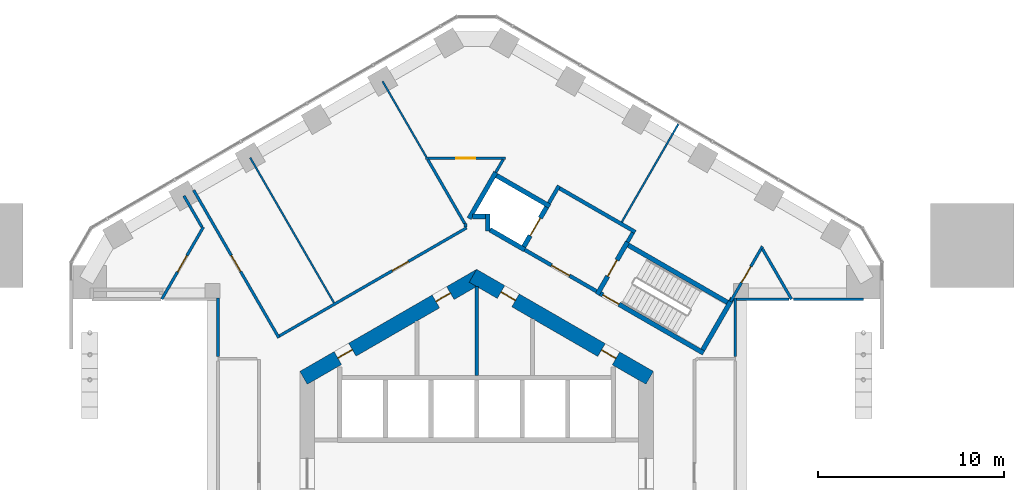
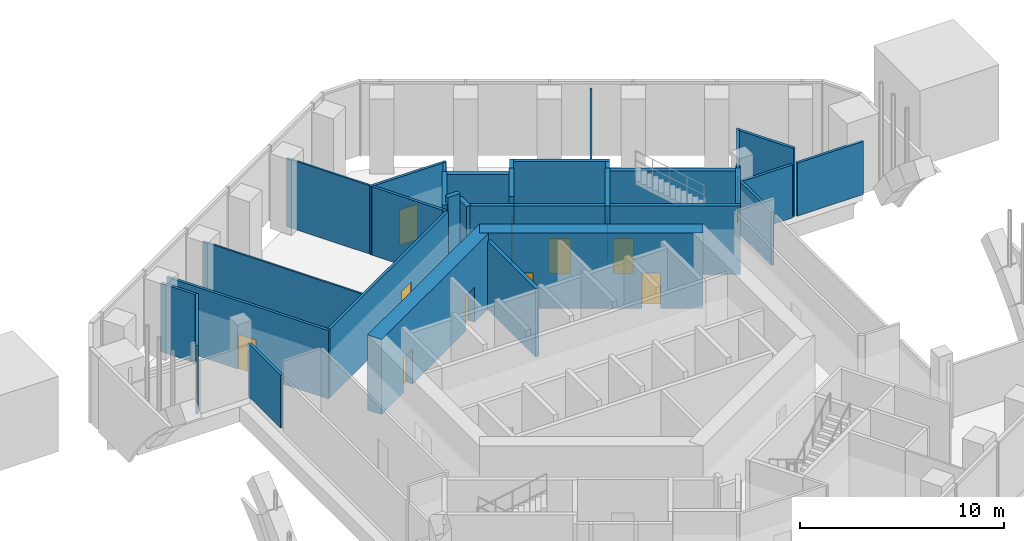
# One storey, part 11 of 14: 34 walls, 13 doors, 13 openings.
"""IFC4 building model written with IfcOpenShell, lengths in metres."""

from ifc_helpers import new_model, si_unit, direction, frame, frame_2d, origin, place, context, subcontext, project, spatial, rectangle, extrude, material, layer, layer_set, type_object, element, fill, save


model = new_model("IFC4")

# Units and contexts
model_context = context("Model", 3, precision=1e-05, world=origin(), true_north=direction((0.0, 1.0)))
body_context = subcontext(model_context, "Body", "Model", "MODEL_VIEW")
ifc_project = project(units=[si_unit("LENGTHUNIT", "METRE"), si_unit("AREAUNIT", "SQUARE_METRE"), si_unit("VOLUMEUNIT", "CUBIC_METRE"), si_unit("PLANEANGLEUNIT", "RADIAN"), si_unit("MASSUNIT", "GRAM", prefix="KILO")], contexts=[model_context])

# Site, building, storey
site_placement = place(None, origin())
site = spatial("IfcSite", under=ifc_project, at=site_placement, CompositionType="ELEMENT")
building_placement = place(site_placement, origin())
building = spatial("IfcBuilding", under=site, at=building_placement, Name="Ayvan Gate Tower", CompositionType="ELEMENT")
storey_placement = place(building_placement, frame((0.0, 0.0, 11.5)))
storey = spatial("IfcBuildingStorey", under=building, at=storey_placement, Name="L02", CompositionType="ELEMENT", Elevation=11.5)

# Wall, openings, doors
ifc_material_1 = material(Name="Concrete C70/85", Category="concrete")
ifc_layer_1 = layer(ifc_material_1, 0.800048828125)
ifc_layer_set_1 = layer_set([ifc_layer_1], Name="Concrete C70/85")
wall_type_1 = type_object("IfcWallType", Name="Core wall 800 C70/85", PredefinedType="SHEAR", material=ifc_layer_set_1)
wall_1_placement = place(storey_placement, frame((9.300048828125, 5.138427734375, 0.0), z_axis=(0.0, 0.0, 1.0), x_axis=(-0.866023993627, 0.500002442456, 0.0)))
wall_1 = element("IfcWall", 1, at=wall_1_placement, inside=storey, type_object=wall_type_1, Name="CORE-L02-1", PredefinedType="SHEAR", context=body_context, shape_type="SweptSolid", body=[
    extrude(rectangle(XDim=10.9697265625, YDim=0.800048828125, at=frame_2d((5.48486328125, 0.0))), origin(), (0.0, 0.0, 1.0), 4.5),
])
opening_1_placement = place(wall_1_placement, frame((8.326416015625, 0.0, 0.0)))
opening_1 = element("IfcOpeningElement", 2, at=opening_1_placement, cuts=wall_1, Name="Opening L02-D29", PredefinedType="OPENING", context=body_context, shape_type="SweptSolid", body=[
    extrude(rectangle(XDim=0.89990234375, YDim=2.10009765625, at=frame_2d((0.449951171875, 1.050048828125))), frame((0.0, 0.409912109375, 0.0), z_axis=(0.0, -1.0, 0.0), x_axis=(1.0, 0.0, 0.0)), (0.0, 0.0, 1.0), 0.820068359375),
])
opening_2_placement = place(wall_1_placement, frame((2.09130859375, 0.0, 0.0)))
opening_2 = element("IfcOpeningElement", 3, at=opening_2_placement, cuts=wall_1, Name="Opening L02-D30", PredefinedType="OPENING", context=body_context, shape_type="SweptSolid", body=[
    extrude(rectangle(XDim=0.89990234375, YDim=2.10009765625, at=frame_2d((0.449951171875, 1.050048828125))), frame((0.0, 0.409912109375, 0.0), z_axis=(0.0, -1.0, 0.0), x_axis=(1.0, 0.0, 0.0)), (0.0, 0.0, 1.0), 0.820068359375),
])
ifc_material_2 = material(Name="Timber door leaf", Category="wood")
door_type_1 = type_object("IfcDoorType", Name="DT-900", OperationType="NOTDEFINED", PredefinedType="DOOR", material=ifc_material_2)
door_1_placement = place(opening_1_placement, origin())
door_1 = element("IfcDoor", 4, at=door_1_placement, inside=storey, type_object=door_type_1, Name="CD-L02-29", OperationType="SINGLE_SWING_LEFT", OverallHeight=2.10009765625, OverallWidth=0.89990234375, PredefinedType="DOOR", context=body_context, shape_type="SweptSolid", body=[
    extrude(rectangle(XDim=0.89990234375, YDim=2.10009765625, at=frame_2d((0.449951171875, 1.050048828125))), frame((0.0, 0.02490234375, 0.0), z_axis=(0.0, -1.0, 0.0), x_axis=(1.0, 0.0, 0.0)), (0.0, 0.0, 1.0), 0.050048828125),
])
fill(opening_1, door_1)
door_2_placement = place(opening_2_placement, origin())
door_2 = element("IfcDoor", 5, at=door_2_placement, inside=storey, type_object=door_type_1, Name="CD-L02-30", OperationType="SINGLE_SWING_RIGHT", OverallHeight=2.10009765625, OverallWidth=0.89990234375, PredefinedType="DOOR", context=body_context, shape_type="SweptSolid", body=[
    extrude(rectangle(XDim=0.89990234375, YDim=2.10009765625, at=frame_2d((0.449951171875, 1.050048828125))), frame((0.0, 0.02490234375, 0.0), z_axis=(0.0, -1.0, 0.0), x_axis=(1.0, 0.0, 0.0)), (0.0, 0.0, 1.0), 0.050048828125),
])
fill(opening_2, door_2)

wall_2_placement = place(storey_placement, frame((0.199951171875, 10.623291015625, 0.0), z_axis=(0.0, 0.0, 1.0), x_axis=(-0.866023993627, -0.500002442456, 0.0)))
wall_2 = element("IfcWall", 6, at=wall_2_placement, inside=storey, type_object=wall_type_1, Name="CORE-L02-2", PredefinedType="SHEAR", context=body_context, shape_type="SweptSolid", body=[
    extrude(rectangle(XDim=10.9697265625, YDim=0.800048828125, at=frame_2d((5.48486328125, 0.0))), origin(), (0.0, 0.0, 1.0), 4.5),
])
opening_3_placement = place(wall_2_placement, frame((7.943603515625, 0.0, 0.0)))
opening_3 = element("IfcOpeningElement", 7, at=opening_3_placement, cuts=wall_2, Name="Opening L02-D27", PredefinedType="OPENING", context=body_context, shape_type="SweptSolid", body=[
    extrude(rectangle(XDim=0.89990234375, YDim=2.10009765625, at=frame_2d((0.449951171875, 1.050048828125))), frame((0.0, 0.409912109375, 0.0), z_axis=(0.0, -1.0, 0.0), x_axis=(1.0, 0.0, 0.0)), (0.0, 0.0, 1.0), 0.820068359375),
])
opening_4_placement = place(wall_2_placement, frame((1.860107421875, 0.0, 0.0)))
opening_4 = element("IfcOpeningElement", 8, at=opening_4_placement, cuts=wall_2, Name="Opening L02-D28", PredefinedType="OPENING", context=body_context, shape_type="SweptSolid", body=[
    extrude(rectangle(XDim=0.89990234375, YDim=2.10009765625, at=frame_2d((0.449951171875, 1.050048828125))), frame((0.0, 0.409912109375, 0.0), z_axis=(0.0, -1.0, 0.0), x_axis=(1.0, 0.0, 0.0)), (0.0, 0.0, 1.0), 0.820068359375),
])
door_3_placement = place(opening_3_placement, origin())
door_3 = element("IfcDoor", 9, at=door_3_placement, inside=storey, type_object=door_type_1, Name="CD-L02-27", OperationType="SINGLE_SWING_LEFT", OverallHeight=2.10009765625, OverallWidth=0.89990234375, PredefinedType="DOOR", context=body_context, shape_type="SweptSolid", body=[
    extrude(rectangle(XDim=0.89990234375, YDim=2.10009765625, at=frame_2d((0.449951171875, 1.050048828125))), frame((0.0, 0.02490234375, 0.0), z_axis=(0.0, -1.0, 0.0), x_axis=(1.0, 0.0, 0.0)), (0.0, 0.0, 1.0), 0.050048828125),
])
fill(opening_3, door_3)
door_4_placement = place(opening_4_placement, origin())
door_4 = element("IfcDoor", 10, at=door_4_placement, inside=storey, type_object=door_type_1, Name="CD-L02-28", OperationType="SINGLE_SWING_RIGHT", OverallHeight=2.10009765625, OverallWidth=0.89990234375, PredefinedType="DOOR", context=body_context, shape_type="SweptSolid", body=[
    extrude(rectangle(XDim=0.89990234375, YDim=2.10009765625, at=frame_2d((0.449951171875, 1.050048828125))), frame((0.0, 0.02490234375, 0.0), z_axis=(0.0, -1.0, 0.0), x_axis=(1.0, 0.0, 0.0)), (0.0, 0.0, 1.0), 0.050048828125),
])
fill(opening_4, door_4)

# Wall, opening, door
ifc_material_3 = material(Name="Plasterboard on steel stud", Category="steel")
ifc_layer_2 = layer(ifc_material_3, 0.14990234375)
ifc_layer_set_2 = layer_set([ifc_layer_2], Name="Plasterboard on steel stud")
wall_type_2 = type_object("IfcWallType", Name="WT-CORR-150", PredefinedType="PARTITIONING", material=ifc_layer_set_2)
wall_3_placement = place(storey_placement, frame((-16.918701171875, 9.367919921875, 0.0), z_axis=(0.0, 0.0, 1.0), x_axis=(0.500009203373, 0.866020090149, 0.0)))
wall_3 = element("IfcWall", 11, at=wall_3_placement, inside=storey, type_object=wall_type_2, Name="IW-L02-005", PredefinedType="PARTITIONING", context=body_context, shape_type="SweptSolid", body=[
    extrude(rectangle(XDim=4.47119140625, YDim=0.14990234375, at=frame_2d((2.235595703125, 0.0))), origin(), (0.0, 0.0, 1.0), 4.10009765625),
])
opening_5_placement = place(wall_3_placement, frame((1.697998046875, 0.0, 0.0)))
opening_5 = element("IfcOpeningElement", 12, at=opening_5_placement, cuts=wall_3, Name="Opening L02-D20", PredefinedType="OPENING", context=body_context, shape_type="SweptSolid", body=[
    extrude(rectangle(XDim=1.0, YDim=2.10009765625, at=frame_2d((0.5, 1.050048828125))), frame((0.0, 0.0849609375, 0.0), z_axis=(0.0, -1.0, 0.0), x_axis=(1.0, 0.0, 0.0)), (0.0, 0.0, 1.0), 0.169921875),
])
door_type_2 = type_object("IfcDoorType", Name="DT-1000", OperationType="NOTDEFINED", PredefinedType="DOOR", material=ifc_material_2)
door_5_placement = place(opening_5_placement, origin())
door_5 = element("IfcDoor", 13, at=door_5_placement, inside=storey, type_object=door_type_2, Name="ID-L02-020", OperationType="SINGLE_SWING_RIGHT", OverallHeight=2.10009765625, OverallWidth=1.0, PredefinedType="DOOR", context=body_context, shape_type="SweptSolid", body=[
    extrude(rectangle(XDim=1.0, YDim=2.10009765625, at=frame_2d((0.5, 1.050048828125))), frame((0.0, 0.02490234375, 0.0), z_axis=(0.0, -1.0, 0.0), x_axis=(1.0, 0.0, 0.0)), (0.0, 0.0, 1.0), 0.050048828125),
])
fill(opening_5, door_5)

wall_4_placement = place(storey_placement, frame((-15.205078125, 15.221435546875, 0.0), z_axis=(0.0, 0.0, 1.0), x_axis=(0.500006245143, -0.86602179812, 0.0)))
wall_4 = element("IfcWall", 14, at=wall_4_placement, inside=storey, type_object=wall_type_2, Name="IW-L02-008", PredefinedType="PARTITIONING", context=body_context, shape_type="SweptSolid", body=[
    extrude(rectangle(XDim=9.15966796875, YDim=0.14990234375, at=frame_2d((4.579833984375, 0.0))), origin(), (0.0, 0.0, 1.0), 4.10009765625),
])
opening_6_placement = place(wall_4_placement, frame((4.042236328125, 0.0, 0.0)))
opening_6 = element("IfcOpeningElement", 15, at=opening_6_placement, cuts=wall_4, Name="Opening L02-D18", PredefinedType="OPENING", context=body_context, shape_type="SweptSolid", body=[
    extrude(rectangle(XDim=1.0, YDim=2.10009765625, at=frame_2d((0.5, 1.050048828125))), frame((0.0, 0.0849609375, 0.0), z_axis=(0.0, -1.0, 0.0), x_axis=(1.0, 0.0, 0.0)), (0.0, 0.0, 1.0), 0.169921875),
])
door_6_placement = place(opening_6_placement, origin())
door_6 = element("IfcDoor", 16, at=door_6_placement, inside=storey, type_object=door_type_2, Name="ID-L02-018", OperationType="SINGLE_SWING_RIGHT", OverallHeight=2.10009765625, OverallWidth=1.0, PredefinedType="DOOR", context=body_context, shape_type="SweptSolid", body=[
    extrude(rectangle(XDim=1.0, YDim=2.10009765625, at=frame_2d((0.5, 1.050048828125))), frame((0.0, 0.02490234375, 0.0), z_axis=(0.0, -1.0, 0.0), x_axis=(1.0, 0.0, 0.0)), (0.0, 0.0, 1.0), 0.050048828125),
])
fill(opening_6, door_6)

# Walls
wall_5_placement = place(storey_placement, frame((-14.758056640625, 13.239990234375, 0.0), z_axis=(0.0, 0.0, 1.0), x_axis=(-0.49998396455, 0.866034661658, 0.0)))
element("IfcWall", 17, at=wall_5_placement, inside=storey, type_object=wall_type_2, Name="IW-L02-009", PredefinedType="PARTITIONING", context=body_context, shape_type="SweptSolid", body=[
    extrude(rectangle(XDim=1.939453125, YDim=0.14990234375, at=frame_2d((0.9697265625, 0.0))), origin(), (0.0, 0.0, 1.0), 4.10009765625),
])
wall_6_placement = place(storey_placement, frame((-13.89990234375, 6.28076171875, 0.0), z_axis=(0.0, 0.0, 1.0), x_axis=(0.0, 1.0, 0.0)))
element("IfcWall", 18, at=wall_6_placement, inside=storey, type_object=wall_type_2, Name="IW-L02-013", PredefinedType="PARTITIONING", context=body_context, shape_type="SweptSolid", body=[
    extrude(rectangle(XDim=3.162109375, YDim=0.14990234375, at=frame_2d((1.5810546875, 0.0))), origin(), (0.0, 0.0, 1.0), 3.175048828125),
])

# Wall, opening, door
wall_7_placement = place(storey_placement, frame((-10.59765625, 7.391357421875, 0.0), z_axis=(0.0, 0.0, 1.0), x_axis=(0.866022183431, 0.500005577774, 0.0)))
wall_7 = element("IfcWall", 19, at=wall_7_placement, inside=storey, type_object=wall_type_2, Name="IW-L02-022", PredefinedType="PARTITIONING", context=body_context, shape_type="SweptSolid", body=[
    extrude(rectangle(XDim=11.619384765625, YDim=0.14990234375, at=frame_2d((5.8095703125, 0.0))), origin(), (0.0, 0.0, 1.0), 4.10009765625),
])
opening_7_placement = place(wall_7_placement, frame((7.00146484375, 0.0, 0.0)))
opening_7 = element("IfcOpeningElement", 20, at=opening_7_placement, cuts=wall_7, Name="Opening L02-D17", PredefinedType="OPENING", context=body_context, shape_type="SweptSolid", body=[
    extrude(rectangle(XDim=1.0, YDim=2.10009765625, at=frame_2d((0.5, 1.050048828125))), frame((0.0, 0.0849609375, 0.0), z_axis=(0.0, -1.0, 0.0), x_axis=(1.0, 0.0, 0.0)), (0.0, 0.0, 1.0), 0.169921875),
])
door_7_placement = place(opening_7_placement, origin())
door_7 = element("IfcDoor", 21, at=door_7_placement, inside=storey, type_object=door_type_2, Name="ID-L02-017", OperationType="SINGLE_SWING_LEFT", OverallHeight=2.10009765625, OverallWidth=1.0, PredefinedType="DOOR", context=body_context, shape_type="SweptSolid", body=[
    extrude(rectangle(XDim=1.0, YDim=2.10009765625, at=frame_2d((0.5, 1.050048828125))), frame((0.0, 0.02490234375, 0.0), z_axis=(0.0, -1.0, 0.0), x_axis=(1.0, 0.0, 0.0)), (0.0, 0.0, 1.0), 0.050048828125),
])
fill(opening_7, door_7)

wall_8_placement = place(storey_placement, frame((-2.739013671875, 16.935791015625, 0.0), z_axis=(0.0, 0.0, 1.0), x_axis=(1.0, 0.0, 0.0)))
wall_8 = element("IfcWall", 22, at=wall_8_placement, inside=storey, type_object=wall_type_2, Name="IW-L02-048", PredefinedType="PARTITIONING", context=body_context, shape_type="SweptSolid", body=[
    extrude(rectangle(XDim=4.278076171875, YDim=0.14990234375, at=frame_2d((2.13916015625, 0.0))), origin(), (0.0, 0.0, 1.0), 4.10009765625),
])
opening_8_placement = place(wall_8_placement, frame((1.656494140625, 0.0, 0.0)))
opening_8 = element("IfcOpeningElement", 23, at=opening_8_placement, cuts=wall_8, Name="Opening L02-D19", PredefinedType="OPENING", context=body_context, shape_type="SweptSolid", body=[
    extrude(rectangle(XDim=1.0, YDim=2.10009765625, at=frame_2d((0.5, 1.050048828125))), frame((0.0, 0.0849609375, 0.0), z_axis=(0.0, -1.0, 0.0), x_axis=(1.0, 0.0, 0.0)), (0.0, 0.0, 1.0), 0.169921875),
])
door_8_placement = place(opening_8_placement, origin())
door_8 = element("IfcDoor", 24, at=door_8_placement, inside=storey, type_object=door_type_2, Name="ID-L02-019", OperationType="SINGLE_SWING_LEFT", OverallHeight=2.10009765625, OverallWidth=1.0, PredefinedType="DOOR", context=body_context, shape_type="SweptSolid", body=[
    extrude(rectangle(XDim=1.0, YDim=2.10009765625, at=frame_2d((0.5, 1.050048828125))), frame((0.0, 0.02490234375, 0.0), z_axis=(0.0, -1.0, 0.0), x_axis=(1.0, 0.0, 0.0)), (0.0, 0.0, 1.0), 0.050048828125),
])
fill(opening_8, door_8)

# Walls
wall_9_placement = place(storey_placement, frame((-0.60009765625, 13.238525390625, 0.0), z_axis=(0.0, 0.0, 1.0), x_axis=(0.0, 1.0, 0.0)))
element("IfcWall", 25, at=wall_9_placement, inside=storey, type_object=wall_type_2, Name="IW-L02-057", PredefinedType="PARTITIONING", context=body_context, shape_type="SweptSolid", body=[
    extrude(rectangle(XDim=0.197265625, YDim=0.14990234375, at=frame_2d((0.0986328125, 0.0))), origin(), (0.0, 0.0, 1.0), 4.10009765625),
])
wall_10_placement = place(storey_placement, frame((-0.637451171875, 13.42578125, 0.0), z_axis=(0.0, 0.0, 1.0), x_axis=(-0.500046503579, 0.865998553266, 0.0)))
element("IfcWall", 26, at=wall_10_placement, inside=storey, type_object=wall_type_2, Name="IW-L02-058", PredefinedType="PARTITIONING", context=body_context, shape_type="SweptSolid", body=[
    extrude(rectangle(XDim=3.97802734375, YDim=0.14990234375, at=frame_2d((1.989013671875, 0.0))), origin(), (0.0, 0.0, 1.0), 4.10009765625),
])
wall_11_placement = place(storey_placement, frame((1.426513671875, 16.870849609375, 0.0), z_axis=(0.0, 0.0, 1.0), x_axis=(-0.499951716245, -0.866053278629, 0.0)))
element("IfcWall", 27, at=wall_11_placement, inside=storey, type_object=wall_type_2, Name="IW-L02-068", PredefinedType="PARTITIONING", context=body_context, shape_type="SweptSolid", body=[
    extrude(rectangle(XDim=0.798828125, YDim=0.14990234375, at=frame_2d((0.3994140625, 0.0))), origin(), (0.0, 0.0, 1.0), 4.10009765625),
])

# Wall, opening, door
wall_12_placement = place(storey_placement, frame((13.647705078125, 9.23876953125, 0.0), z_axis=(0.0, 0.0, 1.0), x_axis=(0.500000491645, 0.866025119933, 0.0)))
wall_12 = element("IfcWall", 28, at=wall_12_placement, inside=storey, type_object=wall_type_2, Name="IW-L02-107", PredefinedType="PARTITIONING", context=body_context, shape_type="SweptSolid", body=[
    extrude(rectangle(XDim=3.42041015625, YDim=0.14990234375, at=frame_2d((1.710205078125, 0.0))), origin(), (0.0, 0.0, 1.0), 4.10009765625),
])
opening_9_placement = place(wall_12_placement, frame((1.172607421875, 0.0, 0.0)))
opening_9 = element("IfcOpeningElement", 29, at=opening_9_placement, cuts=wall_12, Name="Opening L02-D24", PredefinedType="OPENING", context=body_context, shape_type="SweptSolid", body=[
    extrude(rectangle(XDim=1.0, YDim=2.10009765625, at=frame_2d((0.5, 1.050048828125))), frame((0.0, 0.0849609375, 0.0), z_axis=(0.0, -1.0, 0.0), x_axis=(1.0, 0.0, 0.0)), (0.0, 0.0, 1.0), 0.169921875),
])
door_9_placement = place(opening_9_placement, origin())
door_9 = element("IfcDoor", 30, at=door_9_placement, inside=storey, type_object=door_type_2, Name="ID-L02-024", OperationType="SINGLE_SWING_RIGHT", OverallHeight=2.10009765625, OverallWidth=1.0, PredefinedType="DOOR", context=body_context, shape_type="SweptSolid", body=[
    extrude(rectangle(XDim=1.0, YDim=2.10009765625, at=frame_2d((0.5, 1.050048828125))), frame((0.0, 0.02490234375, 0.0), z_axis=(0.0, -1.0, 0.0), x_axis=(1.0, 0.0, 0.0)), (0.0, 0.0, 1.0), 0.050048828125),
])
fill(opening_9, door_9)

# Walls
wall_13_placement = place(storey_placement, frame((13.89990234375, 9.44287109375, 0.0), z_axis=(0.0, 0.0, 1.0), x_axis=(0.0, -1.0, 0.0)))
element("IfcWall", 31, at=wall_13_placement, inside=storey, type_object=wall_type_2, Name="IW-L02-113", PredefinedType="PARTITIONING", context=body_context, shape_type="SweptSolid", body=[
    extrude(rectangle(XDim=3.162109375, YDim=0.14990234375, at=frame_2d((1.5810546875, 0.0))), origin(), (0.0, 0.0, 1.0), 3.175048828125),
])
wall_14_placement = place(storey_placement, frame((15.35791015625, 12.07080078125, 0.0), z_axis=(0.0, 0.0, 1.0), x_axis=(0.500067767496, -0.865986274667, 0.0)))
element("IfcWall", 32, at=wall_14_placement, inside=storey, type_object=wall_type_2, Name="IW-L02-116", PredefinedType="PARTITIONING", context=body_context, shape_type="SweptSolid", body=[
    extrude(rectangle(XDim=3.12109375, YDim=0.14990234375, at=frame_2d((1.560546875, 0.0))), origin(), (0.0, 0.0, 1.0), 4.10009765625),
])
wall_15_placement = place(storey_placement, frame((16.780029296875, 9.367919921875, 0.0), z_axis=(0.0, 0.0, 1.0), x_axis=(-1.0, 0.0, 0.0)))
element("IfcWall", 33, at=wall_15_placement, inside=storey, type_object=wall_type_2, Name="IW-L02-117", PredefinedType="PARTITIONING", context=body_context, shape_type="SweptSolid", body=[
    extrude(rectangle(XDim=2.804931640625, YDim=0.14990234375, at=frame_2d((1.40234375, 0.0))), origin(), (0.0, 0.0, 1.0), 3.175048828125),
])
wall_16_placement = place(storey_placement, frame((20.78466796875, 9.367919921875, 0.0), z_axis=(0.0, 0.0, 1.0), x_axis=(-1.0, 0.0, 0.0)))
element("IfcWall", 34, at=wall_16_placement, inside=storey, type_object=wall_type_2, Name="IW-L02-118", PredefinedType="PARTITIONING", context=body_context, shape_type="SweptSolid", body=[
    extrude(rectangle(XDim=3.74609375, YDim=0.14990234375, at=frame_2d((1.873046875, 0.0))), origin(), (0.0, 0.0, 1.0), 3.175048828125),
])
ifc_layer_3 = layer(ifc_material_3, 0.10009765625)
ifc_layer_set_3 = layer_set([ifc_layer_3], Name="Plasterboard on steel stud")
wall_type_3 = type_object("IfcWallType", Name="WT-PART-100", PredefinedType="PARTITIONING", material=ifc_layer_set_3)
wall_17_placement = place(storey_placement, frame((-7.666015625, 9.170654296875, 0.0), z_axis=(0.0, 0.0, 1.0), x_axis=(-0.500009404554, 0.866019973994, 0.0)))
element("IfcWall", 35, at=wall_17_placement, inside=storey, type_object=wall_type_3, Name="IW-L02-029", PredefinedType="PARTITIONING", context=body_context, shape_type="SweptSolid", body=[
    extrude(rectangle(XDim=9.009521484375, YDim=0.10009765625, at=frame_2d((4.5048828125, 0.0))), origin(), (0.0, 0.0, 1.0), 4.10009765625),
])
wall_18_placement = place(storey_placement, frame((-5.056884765625, 21.080322265625, 0.0), z_axis=(0.0, 0.0, 1.0), x_axis=(0.500018540756, -0.866014699009, 0.0)))
element("IfcWall", 36, at=wall_18_placement, inside=storey, type_object=wall_type_3, Name="IW-L02-040", PredefinedType="PARTITIONING", context=body_context, shape_type="SweptSolid", body=[
    extrude(rectangle(XDim=4.710693359375, YDim=0.10009765625, at=frame_2d((2.35546875, 0.0))), origin(), (0.0, 0.0, 1.0), 4.10009765625),
])
wall_19_placement = place(storey_placement, frame((10.84033203125, 18.77587890625, 0.0), z_axis=(0.0, 0.0, 1.0), x_axis=(-0.500003976293, -0.866023108059, 0.0)))
element("IfcWall", 37, at=wall_19_placement, inside=storey, type_object=wall_type_3, Name="IW-L02-098", PredefinedType="PARTITIONING", context=body_context, shape_type="SweptSolid", body=[
    extrude(rectangle(XDim=6.08056640625, YDim=0.10009765625, at=frame_2d((3.040283203125, 0.0))), origin(), (0.0, 0.0, 1.0), 4.10009765625),
])
ifc_layer_4 = layer(ifc_material_3, 0.199951171875)
ifc_layer_set_4 = layer_set([ifc_layer_4], Name="Plasterboard on steel stud")
wall_type_4 = type_object("IfcWallType", Name="WT-RATED-200", PredefinedType="PARTITIONING", material=ifc_layer_set_4)
wall_20_placement = place(storey_placement, frame((0.0, 10.0458984375, 0.0), z_axis=(0.0, 0.0, 1.0), x_axis=(0.0, -1.0, 0.0)))
element("IfcWall", 38, at=wall_20_placement, inside=storey, type_object=wall_type_4, Name="IW-L02-062", PredefinedType="PARTITIONING", context=body_context, shape_type="SweptSolid", body=[
    extrude(rectangle(XDim=4.77099609375, YDim=0.199951171875, at=frame_2d((2.385498046875, 0.0))), origin(), (0.0, 0.0, 1.0), 4.10009765625),
])
wall_21_placement = place(storey_placement, frame((3.885009765625, 14.52880859375, 0.0), z_axis=(0.0, 0.0, 1.0), x_axis=(0.499997628298, 0.866026773083, 0.0)))
element("IfcWall", 39, at=wall_21_placement, inside=storey, type_object=wall_type_4, Name="IW-L02-077", PredefinedType="PARTITIONING", context=body_context, shape_type="SweptSolid", body=[
    extrude(rectangle(XDim=1.0751953125, YDim=0.199951171875, at=frame_2d((0.53759765625, 0.0))), origin(), (0.0, 0.0, 1.0), 4.10009765625),
])
wall_22_placement = place(storey_placement, frame((4.458984375, 15.323486328125, 0.0), z_axis=(0.0, 0.0, 1.0), x_axis=(0.866016039709, -0.500016218704, 0.0)))
element("IfcWall", 40, at=wall_22_placement, inside=storey, type_object=wall_type_4, Name="IW-L02-079", PredefinedType="PARTITIONING", context=body_context, shape_type="SweptSolid", body=[
    extrude(rectangle(XDim=4.699951171875, YDim=0.199951171875, at=frame_2d((2.35009765625, 0.0))), origin(), (0.0, 0.0, 1.0), 4.10009765625),
])

# Wall, opening, door
wall_23_placement = place(storey_placement, frame((6.4345703125, 9.794921875, 0.0), z_axis=(0.0, 0.0, 1.0), x_axis=(-0.866012907634, 0.500021643343, 0.0)))
wall_23 = element("IfcWall", 41, at=wall_23_placement, inside=storey, type_object=wall_type_4, Name="IW-L02-082", PredefinedType="PARTITIONING", context=body_context, shape_type="SweptSolid", body=[
    extrude(rectangle(XDim=4.449951171875, YDim=0.199951171875, at=frame_2d((2.22509765625, 0.0))), origin(), (0.0, 0.0, 1.0), 4.10009765625),
])
opening_10_placement = place(wall_23_placement, frame((1.675048828125, 0.0, 0.0)))
opening_10 = element("IfcOpeningElement", 42, at=opening_10_placement, cuts=wall_23, Name="Opening L02-D08", PredefinedType="OPENING", context=body_context, shape_type="SweptSolid", body=[
    extrude(rectangle(XDim=1.10009765625, YDim=2.10009765625, at=frame_2d((0.550048828125, 1.050048828125))), frame((0.0, 0.10986328125, 0.0), z_axis=(0.0, -1.0, 0.0), x_axis=(1.0, 0.0, 0.0)), (0.0, 0.0, 1.0), 0.219970703125),
])
door_type_3 = type_object("IfcDoorType", Name="DT-1100", OperationType="NOTDEFINED", PredefinedType="DOOR", material=ifc_material_2)
door_10_placement = place(opening_10_placement, origin())
door_10 = element("IfcDoor", 43, at=door_10_placement, inside=storey, type_object=door_type_3, Name="ID-L02-008", OperationType="SINGLE_SWING_RIGHT", OverallHeight=2.10009765625, OverallWidth=1.10009765625, PredefinedType="DOOR", context=body_context, shape_type="SweptSolid", body=[
    extrude(rectangle(XDim=1.10009765625, YDim=2.10009765625, at=frame_2d((0.550048828125, 1.050048828125))), frame((0.0, 0.02490234375, 0.0), z_axis=(0.0, -1.0, 0.0), x_axis=(1.0, 0.0, 0.0)), (0.0, 0.0, 1.0), 0.050048828125),
])
fill(opening_10, door_10)

# Walls
wall_24_placement = place(storey_placement, frame((8.392822265625, 12.936767578125, 0.0), z_axis=(0.0, 0.0, 1.0), x_axis=(-0.500065409566, -0.86598763626, 0.0)))
element("IfcWall", 44, at=wall_24_placement, inside=storey, type_object=wall_type_4, Name="IW-L02-091", PredefinedType="PARTITIONING", context=body_context, shape_type="SweptSolid", body=[
    extrude(rectangle(XDim=0.5751953125, YDim=0.199951171875, at=frame_2d((0.28759765625, 0.0))), origin(), (0.0, 0.0, 1.0), 4.10009765625),
])
ifc_material_4 = material(Name="Concrete C50/60", Category="concrete")
ifc_layer_5 = layer(ifc_material_4, 0.25)
ifc_layer_set_5 = layer_set([ifc_layer_5], Name="Concrete C50/60")
wall_type_5 = type_object("IfcWallType", Name="WT-RC-250", PredefinedType="SHEAR", material=ifc_layer_set_5)
wall_25_placement = place(storey_placement, frame((-0.403076171875, 13.70166015625, 0.0), z_axis=(0.0, 0.0, 1.0), x_axis=(0.499976111731, 0.866039195244, 0.0)))
element("IfcWall", 45, at=wall_25_placement, inside=storey, type_object=wall_type_5, Name="IW-L02-059", PredefinedType="SHEAR", context=body_context, shape_type="SweptSolid", body=[
    extrude(rectangle(XDim=2.860595703125, YDim=0.25, at=frame_2d((1.43017578125, 0.0))), origin(), (0.0, 0.0, 1.0), 4.10009765625),
])
wall_26_placement = place(storey_placement, frame((0.60009765625, 13.03857421875, 0.0), z_axis=(0.0, 0.0, 1.0), x_axis=(0.0, 1.0, 0.0)))
element("IfcWall", 46, at=wall_26_placement, inside=storey, type_object=wall_type_5, Name="IW-L02-064", PredefinedType="SHEAR", context=body_context, shape_type="SweptSolid", body=[
    extrude(rectangle(XDim=0.896484375, YDim=0.25, at=frame_2d((0.4482421875, 0.0))), origin(), (0.0, 0.0, 1.0), 4.10009765625),
])
wall_27_placement = place(storey_placement, frame((0.47509765625, 13.81005859375, 0.0), z_axis=(0.0, 0.0, 1.0), x_axis=(-1.0, 0.0, 0.0)))
element("IfcWall", 47, at=wall_27_placement, inside=storey, type_object=wall_type_5, Name="IW-L02-065", PredefinedType="SHEAR", context=body_context, shape_type="SweptSolid", body=[
    extrude(rectangle(XDim=0.690673828125, YDim=0.25, at=frame_2d((0.34521484375, 0.0))), origin(), (0.0, 0.0, 1.0), 4.5),
])
wall_28_placement = place(storey_placement, frame((1.072998046875, 16.00830078125, 0.0), z_axis=(0.0, 0.0, 1.0), x_axis=(0.866040211805, -0.499974350878, 0.0)))
element("IfcWall", 48, at=wall_28_placement, inside=storey, type_object=wall_type_5, Name="IW-L02-066", PredefinedType="SHEAR", context=body_context, shape_type="SweptSolid", body=[
    extrude(rectangle(XDim=3.300048828125, YDim=0.25, at=frame_2d((1.64990234375, 0.0))), origin(), (0.0, 0.0, 1.0), 4.10009765625),
])
wall_29_placement = place(storey_placement, frame((2.580810546875, 12.02001953125, 0.0), z_axis=(0.0, 0.0, 1.0), x_axis=(-0.86603892542, 0.499976579108, 0.0)))
element("IfcWall", 49, at=wall_29_placement, inside=storey, type_object=wall_type_5, Name="IW-L02-072", PredefinedType="SHEAR", context=body_context, shape_type="SweptSolid", body=[
    extrude(rectangle(XDim=2.162109375, YDim=0.25, at=frame_2d((1.0810546875, 0.0))), origin(), (0.0, 0.0, 1.0), 4.10009765625),
])

# Wall, opening, door
wall_30_placement = place(storey_placement, frame((2.534912109375, 12.19091796875, 0.0), z_axis=(0.0, 0.0, 1.0), x_axis=(0.500061746146, 0.865989751695, 0.0)))
wall_30 = element("IfcWall", 50, at=wall_30_placement, inside=storey, type_object=wall_type_5, Name="IW-L02-073", PredefinedType="SHEAR", context=body_context, shape_type="SweptSolid", body=[
    extrude(rectangle(XDim=2.449951171875, YDim=0.25, at=frame_2d((1.22509765625, 0.0))), origin(), (0.0, 0.0, 1.0), 4.5),
])
opening_11_placement = place(wall_30_placement, frame((0.675048828125, 0.0, 0.0)))
opening_11 = element("IfcOpeningElement", 51, at=opening_11_placement, cuts=wall_30, Name="Opening L02-LD-FF1", PredefinedType="OPENING", context=body_context, shape_type="SweptSolid", body=[
    extrude(rectangle(XDim=1.10009765625, YDim=2.10009765625, at=frame_2d((0.550048828125, 1.050048828125))), frame((0.0, 0.135009765625, 0.0), z_axis=(0.0, -1.0, 0.0), x_axis=(1.0, 0.0, 0.0)), (0.0, 0.0, 1.0), 0.27001953125),
])
ifc_material_5 = material(Name="Stainless steel landing door", Category="steel")
door_type_4 = type_object("IfcDoorType", Name="DT-LANDING-1100", OperationType="SLIDING_TO_LEFT", PredefinedType="DOOR", material=ifc_material_5)
door_11_placement = place(opening_11_placement, origin())
door_11 = element("IfcDoor", 52, at=door_11_placement, inside=storey, type_object=door_type_4, Name="ID-L02-009", OperationType="SLIDING_TO_LEFT", OverallHeight=2.10009765625, OverallWidth=1.10009765625, PredefinedType="DOOR", context=body_context, shape_type="SweptSolid", body=[
    extrude(rectangle(XDim=1.10009765625, YDim=2.10009765625, at=frame_2d((0.550048828125, 1.050048828125))), frame((0.0, 0.02490234375, 0.0), z_axis=(0.0, -1.0, 0.0), x_axis=(1.0, 0.0, 0.0)), (0.0, 0.0, 1.0), 0.050048828125),
])
fill(opening_11, door_11)

wall_31_placement = place(storey_placement, frame((6.480224609375, 9.624267578125, 0.0), z_axis=(0.0, 0.0, 1.0), x_axis=(0.500017246033, 0.866015446554, 0.0)))
wall_31 = element("IfcWall", 53, at=wall_31_placement, inside=storey, type_object=wall_type_5, Name="IW-L02-083", PredefinedType="SHEAR", context=body_context, shape_type="SweptSolid", body=[
    extrude(rectangle(XDim=3.25, YDim=0.25, at=frame_2d((1.625, 0.0))), origin(), (0.0, 0.0, 1.0), 4.10009765625),
])
opening_12_placement = place(wall_31_placement, frame((1.125, 0.0, 0.0)))
opening_12 = element("IfcOpeningElement", 54, at=opening_12_placement, cuts=wall_31, Name="Opening L02-D07", PredefinedType="OPENING", context=body_context, shape_type="SweptSolid", body=[
    extrude(rectangle(XDim=1.0, YDim=2.10009765625, at=frame_2d((0.5, 1.050048828125))), frame((0.0, 0.135009765625, 0.0), z_axis=(0.0, -1.0, 0.0), x_axis=(1.0, 0.0, 0.0)), (0.0, 0.0, 1.0), 0.27001953125),
])
door_12_placement = place(opening_12_placement, origin())
door_12 = element("IfcDoor", 55, at=door_12_placement, inside=storey, type_object=door_type_2, Name="ID-L02-007", OperationType="SINGLE_SWING_LEFT", OverallHeight=2.10009765625, OverallWidth=1.0, PredefinedType="DOOR", context=body_context, shape_type="SweptSolid", body=[
    extrude(rectangle(XDim=1.0, YDim=2.10009765625, at=frame_2d((0.5, 1.050048828125))), frame((0.0, 0.02490234375, 0.0), z_axis=(0.0, -1.0, 0.0), x_axis=(1.0, 0.0, 0.0)), (0.0, 0.0, 1.0), 0.050048828125),
])
fill(opening_12, door_12)

# Wall
wall_32_placement = place(storey_placement, frame((8.151123046875, 12.26806640625, 0.0), z_axis=(0.0, 0.0, 1.0), x_axis=(0.866025499775, -0.499999833739, 0.0)))
element("IfcWall", 56, at=wall_32_placement, inside=storey, type_object=wall_type_5, Name="IW-L02-090", PredefinedType="SHEAR", context=body_context, shape_type="SweptSolid", body=[
    extrude(rectangle(XDim=6.39990234375, YDim=0.25, at=frame_2d((3.199951171875, 0.0))), origin(), (0.0, 0.0, 1.0), 4.10009765625),
])

# Wall, opening, door
wall_33_placement = place(storey_placement, frame((12.193603515625, 6.469970703125, 0.0), z_axis=(0.0, 0.0, 1.0), x_axis=(-0.866025499775, 0.499999833739, 0.0)))
wall_33 = element("IfcWall", 57, at=wall_33_placement, inside=storey, type_object=wall_type_5, Name="IW-L02-105", PredefinedType="SHEAR", context=body_context, shape_type="SweptSolid", body=[
    extrude(rectangle(XDim=6.39990234375, YDim=0.25, at=frame_2d((3.199951171875, 0.0))), origin(), (0.0, 0.0, 1.0), 4.10009765625),
])
opening_13_placement = place(wall_33_placement, frame((5.25, 0.0, 0.0)))
opening_13 = element("IfcOpeningElement", 58, at=opening_13_placement, cuts=wall_33, Name="Opening L02-D06", PredefinedType="OPENING", context=body_context, shape_type="SweptSolid", body=[
    extrude(rectangle(XDim=1.0, YDim=2.10009765625, at=frame_2d((0.5, 1.050048828125))), frame((0.0, 0.135009765625, 0.0), z_axis=(0.0, -1.0, 0.0), x_axis=(1.0, 0.0, 0.0)), (0.0, 0.0, 1.0), 0.27001953125),
])
door_13_placement = place(opening_13_placement, origin())
door_13 = element("IfcDoor", 59, at=door_13_placement, inside=storey, type_object=door_type_2, Name="ID-L02-006", OperationType="SINGLE_SWING_RIGHT", OverallHeight=2.10009765625, OverallWidth=1.0, PredefinedType="DOOR", context=body_context, shape_type="SweptSolid", body=[
    extrude(rectangle(XDim=1.0, YDim=2.10009765625, at=frame_2d((0.5, 1.050048828125))), frame((0.0, 0.02490234375, 0.0), z_axis=(0.0, -1.0, 0.0), x_axis=(1.0, 0.0, 0.0)), (0.0, 0.0, 1.0), 0.050048828125),
])
fill(opening_13, door_13)

# Wall
wall_34_placement = place(storey_placement, frame((13.7548828125, 9.424072265625, 0.0), z_axis=(0.0, 0.0, 1.0), x_axis=(-0.500011789842, -0.866018596809, 0.0)))
element("IfcWall", 60, at=wall_34_placement, inside=storey, type_object=wall_type_5, Name="IW-L02-108", PredefinedType="SHEAR", context=body_context, shape_type="SweptSolid", body=[
    extrude(rectangle(XDim=3.2138671875, YDim=0.25, at=frame_2d((1.60693359375, 0.0))), origin(), (0.0, 0.0, 1.0), 4.10009765625),
])

save(model, "model.ifc")
